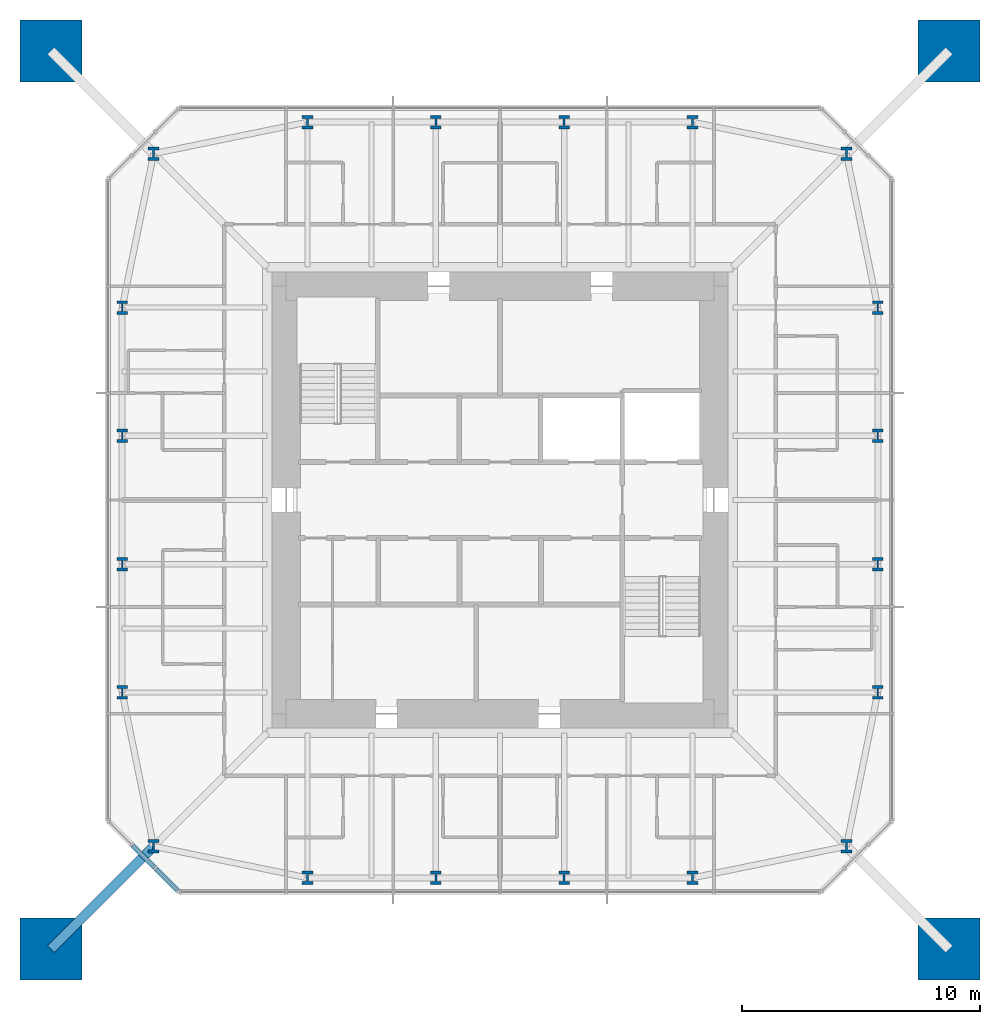
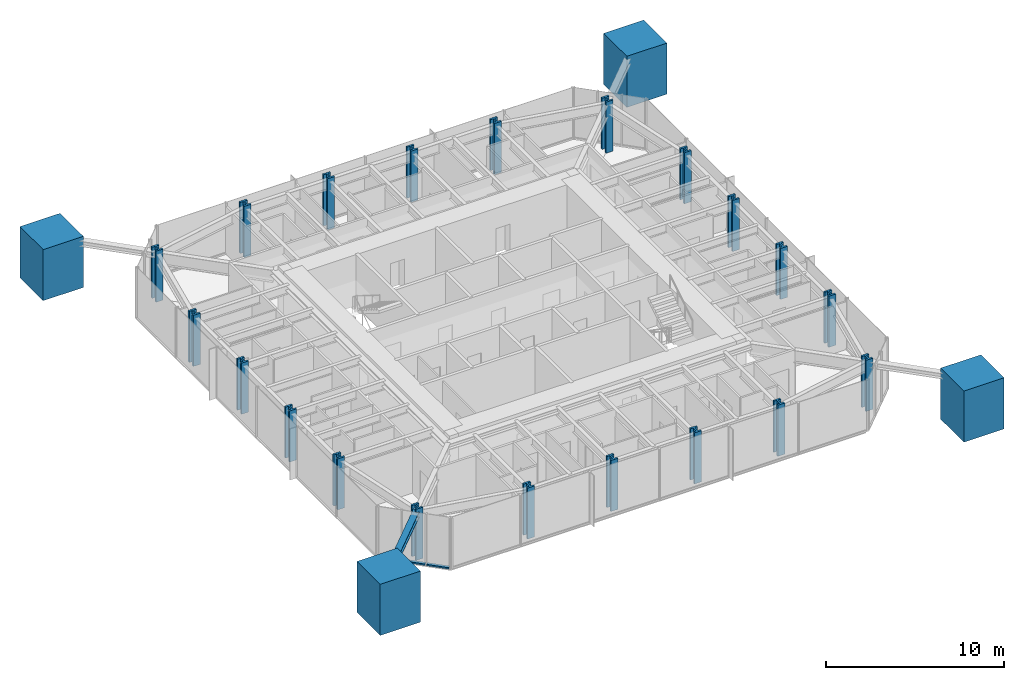
# One storey, part 1 of 10: 24 columns, 3 members, 1 element without a shape of its own.
"""IFC4 building model written with IfcOpenShell, lengths in metres."""

from ifc_helpers import new_model, si_unit, direction, frame, origin, origin_2d, place, context, subcontext, project, spatial, rectangle, i_section, extrude, material, material_profile, profile_set, type_object, element, aggregate, save


model = new_model("IFC4")

# Units and contexts
model_context = context("Model", 3, precision=1e-05, world=origin(), true_north=direction((0.0, 1.0)))
body_context = subcontext(model_context, "Body", "Model", "MODEL_VIEW")
ifc_project = project(units=[si_unit("LENGTHUNIT", "METRE"), si_unit("AREAUNIT", "SQUARE_METRE"), si_unit("VOLUMEUNIT", "CUBIC_METRE"), si_unit("PLANEANGLEUNIT", "RADIAN"), si_unit("MASSUNIT", "GRAM", prefix="KILO")], contexts=[model_context])

# Site, building, storey
site_placement = place(None, origin())
site = spatial("IfcSite", under=ifc_project, at=site_placement, CompositionType="ELEMENT")
building_placement = place(site_placement, origin())
building = spatial("IfcBuilding", under=site, at=building_placement, Name="Iwan Alto Co-Living Towers", CompositionType="ELEMENT")
storey_placement = place(building_placement, frame((0.0, 0.0, 218.5)))
storey = spatial("IfcBuildingStorey", under=building, at=storey_placement, Name="L59", CompositionType="ELEMENT", Elevation=218.5)

# Columns
ifc_material_1 = material(Name="Concrete f'c 70 MPa", Category="concrete")
ifc_material_profile_1 = material_profile(ifc_material_1, rectangle(XDim=2.60009765625, YDim=2.60009765625, at=origin_2d()), Name="RC 2600X2600")
ifc_profile_set_1 = profile_set([ifc_material_profile_1], Name="Concrete f'c 70 MPa")
column_type_1 = type_object("IfcColumnType", Name="T1 MEGA COLUMN RC 2600X2600", PredefinedType="COLUMN", material=ifc_profile_set_1)
for number, where, z_axis, x_axis, name in (
    (1, (-18.89990234375, -18.89990234375, 0.0), (0.0, 0.0, 1.0), (1.0, 0.0, 0.0), "T1 mega column SW L59"),
    (2, (18.89990234375, -18.89990234375, 0.0), (0.0, 0.0, 1.0), (1.0, 0.0, 0.0), "T1 mega column SE L59"),
    (3, (18.89990234375, 18.89990234375, 0.0), (0.0, 0.0, 1.0), (1.0, 0.0, 0.0), "T1 mega column NE L59"),
    (4, (-18.89990234375, 18.89990234375, 0.0), (0.0, 0.0, 1.0), (1.0, 0.0, 0.0), "T1 mega column NW L59"),
):
    element("IfcColumn", number, at=place(storey_placement, frame(where, z_axis=z_axis, x_axis=x_axis)), inside=storey, type_object=column_type_1, Name=name, PredefinedType="COLUMN", context=body_context, shape_type="SweptSolid", body=[
        extrude(rectangle(XDim=2.60009765625, YDim=2.60009765625, at=origin_2d()), origin(), (0.0, 0.0, 1.0), 3.5),
        extrude(i_section(OverallWidth=0.4775390625, OverallDepth=0.599365234375, WebThickness=0.10009765625, FlangeThickness=0.139892578125, at=origin_2d()), origin(), (0.0, 0.0, 1.0), 3.5),
    ])
ifc_material_2 = material(Name="Steel ASTM A992 Gr 50", Category="steel")
ifc_material_profile_2 = material_profile(ifc_material_2, i_section(OverallWidth=0.45458984375, OverallDepth=0.56884765625, WebThickness=0.077880859375, FlangeThickness=0.124755859375, at=origin_2d()), Name="W14X730")
ifc_profile_set_2 = profile_set([ifc_material_profile_2], Name="Steel ASTM A992 Gr 50")
column_type_2 = type_object("IfcColumnType", Name="T1 RING COLUMN W14X730", PredefinedType="COLUMN", material=ifc_profile_set_2)
for number, where, z_axis, x_axis, name in (
    (5, (-14.57568359375, -14.57568359375, 0.0), (0.0, 0.0, 1.0), (1.0, 0.0, 0.0), "T1 ring column CSW L59"),
    (6, (-8.10009765625, -15.89990234375, 0.0), (0.0, 0.0, 1.0), (1.0, 0.0, 0.0), "T1 ring column S1 L59"),
    (7, (-2.699951171875, -15.89990234375, 0.0), (0.0, 0.0, 1.0), (1.0, 0.0, 0.0), "T1 ring column S2 L59"),
    (8, (2.699951171875, -15.89990234375, 0.0), (0.0, 0.0, 1.0), (1.0, 0.0, 0.0), "T1 ring column S3 L59"),
    (9, (8.10009765625, -15.89990234375, 0.0), (0.0, 0.0, 1.0), (1.0, 0.0, 0.0), "T1 ring column S4 L59"),
    (10, (14.57568359375, -14.57568359375, 0.0), (0.0, 0.0, 1.0), (1.0, 0.0, 0.0), "T1 ring column CSE L59"),
    (11, (15.89990234375, -8.10009765625, 0.0), (0.0, 0.0, 1.0), (1.0, 0.0, 0.0), "T1 ring column E1 L59"),
    (12, (15.89990234375, -2.699951171875, 0.0), (0.0, 0.0, 1.0), (1.0, 0.0, 0.0), "T1 ring column E2 L59"),
    (13, (15.89990234375, 2.699951171875, 0.0), (0.0, 0.0, 1.0), (1.0, 0.0, 0.0), "T1 ring column E3 L59"),
    (14, (15.89990234375, 8.10009765625, 0.0), (0.0, 0.0, 1.0), (1.0, 0.0, 0.0), "T1 ring column E4 L59"),
    (15, (14.57568359375, 14.57568359375, 0.0), (0.0, 0.0, 1.0), (1.0, 0.0, 0.0), "T1 ring column CNE L59"),
    (16, (8.10009765625, 15.89990234375, 0.0), (0.0, 0.0, 1.0), (1.0, 0.0, 0.0), "T1 ring column N1 L59"),
    (17, (2.699951171875, 15.89990234375, 0.0), (0.0, 0.0, 1.0), (1.0, 0.0, 0.0), "T1 ring column N2 L59"),
    (18, (-2.699951171875, 15.89990234375, 0.0), (0.0, 0.0, 1.0), (1.0, 0.0, 0.0), "T1 ring column N3 L59"),
    (19, (-8.10009765625, 15.89990234375, 0.0), (0.0, 0.0, 1.0), (1.0, 0.0, 0.0), "T1 ring column N4 L59"),
    (20, (-14.57568359375, 14.57568359375, 0.0), (0.0, 0.0, 1.0), (1.0, 0.0, 0.0), "T1 ring column CNW L59"),
    (21, (-15.89990234375, 8.10009765625, 0.0), (0.0, 0.0, 1.0), (1.0, 0.0, 0.0), "T1 ring column W1 L59"),
    (22, (-15.89990234375, 2.699951171875, 0.0), (0.0, 0.0, 1.0), (1.0, 0.0, 0.0), "T1 ring column W2 L59"),
    (23, (-15.89990234375, -2.699951171875, 0.0), (0.0, 0.0, 1.0), (1.0, 0.0, 0.0), "T1 ring column W3 L59"),
    (24, (-15.89990234375, -8.10009765625, 0.0), (0.0, 0.0, 1.0), (1.0, 0.0, 0.0), "T1 ring column W4 L59"),
):
    element("IfcColumn", number, at=place(storey_placement, frame(where, z_axis=z_axis, x_axis=x_axis)), inside=storey, type_object=column_type_2, Name=name, PredefinedType="COLUMN", context=body_context, shape_type="SweptSolid", body=[
        extrude(i_section(OverallWidth=0.45458984375, OverallDepth=0.56884765625, WebThickness=0.077880859375, FlangeThickness=0.124755859375, at=origin_2d()), origin(), (0.0, 0.0, 1.0), 3.5),
    ])

# Curtain wall, members
ifc_material_3 = material(Name="Bronze aluminium unitised frame", Category="aluminium")
curtain_wall_type = type_object("IfcCurtainWallType", Name="CURTAIN WALL CW-B", PredefinedType="NOTDEFINED", material=ifc_material_3)
curtain_wall_placement = place(storey_placement, origin())
curtain_wall = element("IfcCurtainWall", 25, at=curtain_wall_placement, inside=storey, type_object=curtain_wall_type, Name="T1 chamfer curtain wall SW L59", PredefinedType="NOTDEFINED")
ifc_material_4 = material(Name="Aluminium 6063-T6 bronze anodised", Category="aluminium")
ifc_material_profile_3 = material_profile(ifc_material_4, rectangle(XDim=0.199951171875, YDim=0.10009765625, at=origin_2d()), Name="AL 200X100")
ifc_profile_set_3 = profile_set([ifc_material_profile_3], Name="Aluminium 6063-T6 bronze anodised")
member_type_1 = type_object("IfcMemberType", Name="CW-B TRANSOM 200X100", PredefinedType="USERDEFINED", material=ifc_profile_set_3)
member_1_placement = place(storey_placement, frame((-15.4716796875, -14.5283203125, 0.050048828125), z_axis=(0.707106781187, -0.707106781187, 0.0), x_axis=(0.707106781187, 0.707106781187, 0.0)))
member_1 = element("IfcMember", 26, at=member_1_placement, type_object=member_type_1, Name="CW-B transom 2.1", ObjectType="TRANSOM", PredefinedType="USERDEFINED", context=body_context, shape_type="SweptSolid", body=[
    extrude(rectangle(XDim=0.199951171875, YDim=0.10009765625, at=origin_2d()), origin(), (0.0, 0.0, 1.0), 1.334228515625),
])
member_2_placement = place(storey_placement, frame((-14.4716796875, -15.5283203125, 0.050048828125), z_axis=(0.707106781187, -0.707106781187, 0.0), x_axis=(0.707106781187, 0.707106781187, 0.0)))
member_2 = element("IfcMember", 27, at=member_2_placement, type_object=member_type_1, Name="CW-B transom 3.1", ObjectType="TRANSOM", PredefinedType="USERDEFINED", context=body_context, shape_type="SweptSolid", body=[
    extrude(rectangle(XDim=0.199951171875, YDim=0.10009765625, at=origin_2d()), origin(), (0.0, 0.0, 1.0), 1.2939453125),
])
aggregate(curtain_wall, [member_1, member_2])

# Member
ifc_material_5 = material(Name="Steel ASTM A992 Gr 50", Category="steel")
ifc_material_profile_4 = material_profile(ifc_material_5, i_section(OverallWidth=0.393798828125, OverallDepth=0.3759765625, WebThickness=0.017333984375, FlangeThickness=0.027587890625, at=origin_2d()), Name="W14X145")
ifc_profile_set_4 = profile_set([ifc_material_profile_4], Name="Steel ASTM A992 Gr 50")
member_type_2 = type_object("IfcMemberType", Name="T1 MEGA COLUMN FLOOR TIE W14X145", PredefinedType="STRUT", material=ifc_profile_set_4)
member_3_placement = place(storey_placement, frame((-18.89990234375, -18.89990234375, 3.08203125), z_axis=(0.707106781187, 0.707106781187, 0.0), x_axis=(-0.707106781187, 0.707106781187, 0.0)))
element("IfcMember", 28, at=member_3_placement, inside=storey, type_object=member_type_2, Name="T1 mega column floor tie SW L60", PredefinedType="STRUT", context=body_context, shape_type="SweptSolid", body=[
    extrude(i_section(OverallWidth=0.393798828125, OverallDepth=0.3759765625, WebThickness=0.017333984375, FlangeThickness=0.027587890625, at=origin_2d()), origin(), (0.0, 0.0, 1.0), 6.115478515625),
])

save(model, "model.ifc")
